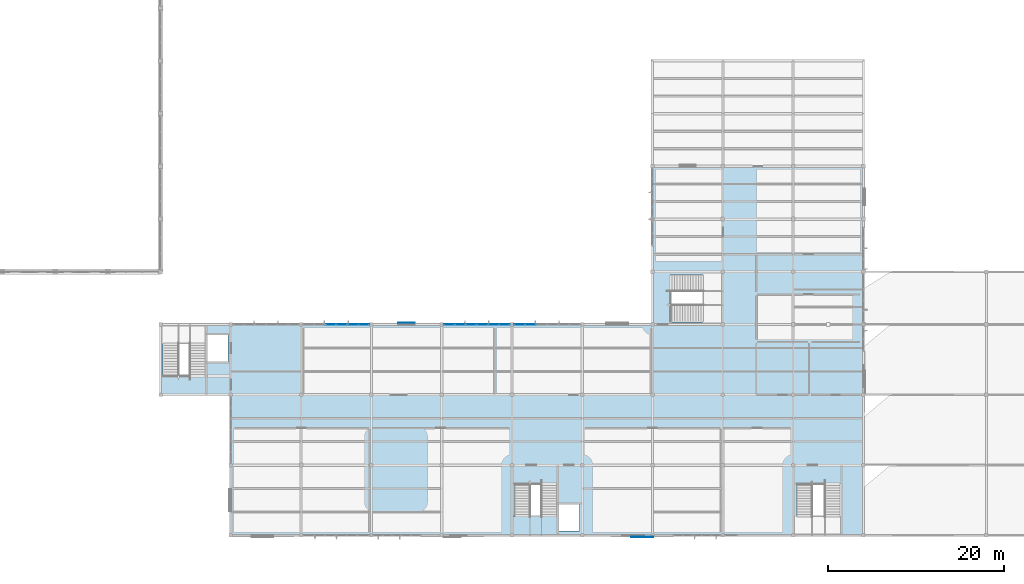
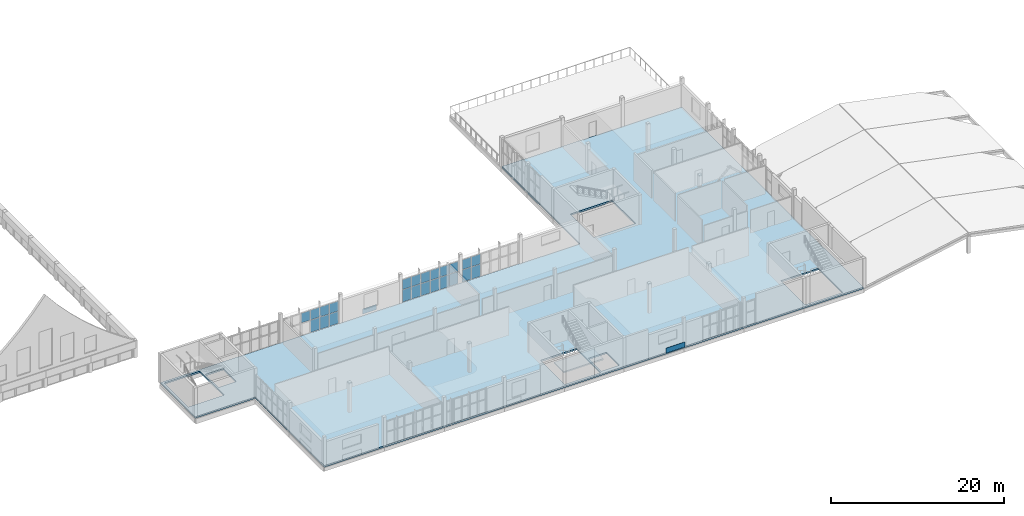
# One storey, part 27 of 45: 25 plates, 2 slabs, 4 elements without a shape of their own.
"""IFC4 building model written with IfcOpenShell, lengths in metres."""

from ifc_helpers import new_model, si_unit, direction, frame, origin, origin_2d, place, context, subcontext, project, spatial, polyline, rectangle, outline, extrude, material, layer, layer_set, type_object, element, aggregate, save


model = new_model("IFC4")

# Units and contexts
model_context = context("Model", 3, precision=1e-05, world=origin(), true_north=direction((0.0, 1.0)))
body_context = subcontext(model_context, "Body", "Model", "MODEL_VIEW")
ifc_project = project(units=[si_unit("LENGTHUNIT", "METRE"), si_unit("AREAUNIT", "SQUARE_METRE"), si_unit("VOLUMEUNIT", "CUBIC_METRE"), si_unit("PLANEANGLEUNIT", "RADIAN"), si_unit("MASSUNIT", "GRAM", prefix="KILO")], contexts=[model_context])

# Site, building, storey
site_placement = place(None, origin())
site = spatial("IfcSite", under=ifc_project, at=site_placement, CompositionType="ELEMENT")
building_placement = place(site_placement, origin())
building = spatial("IfcBuilding", under=site, at=building_placement, Name="Solvane Community Centre", CompositionType="ELEMENT")
storey_placement = place(building_placement, frame((0.0, 0.0, 13.800048828125)))
storey = spatial("IfcBuildingStorey", under=building, at=storey_placement, Name="L03", CompositionType="ELEMENT", Elevation=13.800048828125)

# Plates
ifc_material_1 = material(Name="Anodised bronze aluminium AW-6063 T6", Category="aluminium")
ifc_layer_1 = layer(ifc_material_1, 0.02392578125)
ifc_layer_set_1 = layer_set([ifc_layer_1], Name="Anodised bronze aluminium AW-6063 T6")
plate_type_1 = type_object("IfcPlateType", Name="Bronze Spandrel Cassette 24mm", PredefinedType="SHEET", material=ifc_layer_set_1)
plate_1_placement = place(storey_placement, frame((114.800048828125, 5.81298828125, 0.06005859375), z_axis=(0.0, 0.0, 1.0), x_axis=(-1.0, 0.0, 0.0)))
element("IfcPlate", 1, at=plate_1_placement, inside=storey, type_object=plate_type_1, Name="Art Deco Spandrel SPC-L03-041", PredefinedType="SHEET", context=body_context, shape_type="SweptSolid", body=[
    extrude(rectangle(XDim=2.5, YDim=0.02392578125, at=origin_2d()), origin(), (0.0, 0.0, 1.0), 0.719970703125),
])
plate_2_placement = place(storey_placement, frame((88.0, 30.18701171875, 0.06005859375), z_axis=(0.0, 0.0, 1.0), x_axis=(1.0, 0.0, 0.0)))
element("IfcPlate", 2, at=plate_2_placement, inside=storey, type_object=plate_type_1, Name="Art Deco Spandrel SPC-L03-045", PredefinedType="SHEET", context=body_context, shape_type="SweptSolid", body=[
    extrude(rectangle(XDim=1.89990234375, YDim=0.02392578125, at=origin_2d()), origin(), (0.0, 0.0, 1.0), 0.719970703125),
])

# Slab
ifc_material_2 = material(Name="Cross-laminated timber C24", Category="wood")
ifc_layer_2 = layer(ifc_material_2, 0.219970703125)
ifc_layer_set_2 = layer_set([ifc_layer_2], Name="Cross-laminated timber C24")
slab_type_1 = type_object("IfcSlabType", Name="CLT-Concrete Composite Floor Deck 220mm [FP-L03-V4]", PredefinedType="FLOOR", material=ifc_layer_set_2)
slab_1_placement = place(storey_placement, frame((0.0, 0.0, -0.219970703125)))
element("IfcSlab", 3, at=slab_1_placement, inside=storey, type_object=slab_type_1, Name="Floor Slab FP-L03-V4", PredefinedType="FLOOR", context=body_context, shape_type="SweptSolid", body=[
    extrude(outline(polyline([(60.0, 22.0), (68.0, 22.0), (68.0, 6.0), (140.0, 6.0), (140.0, 48.0), (116.0, 48.0), (116.0, 30.0), (60.0, 30.0), (60.0, 22.0)]), holes=[polyline([(60.300048828125, 24.1201171875), (65.10009765625, 24.1201171875), (65.10009765625, 29.699951171875), (60.300048828125, 29.699951171875), (60.300048828125, 24.1201171875)]), polyline([(65.300048828125, 25.800048828125), (67.699951171875, 25.800048828125), (67.699951171875, 28.800048828125), (65.300048828125, 28.800048828125), (65.300048828125, 25.800048828125)]), polyline([(100.300048828125, 6.300048828125), (105.10009765625, 6.300048828125), (105.10009765625, 11.8798828125), (100.300048828125, 11.8798828125), (100.300048828125, 6.300048828125)]), polyline([(105.300048828125, 6.5), (107.699951171875, 6.5), (107.699951171875, 9.5), (105.300048828125, 9.5), (105.300048828125, 6.5)]), polyline([(132.39990234375, 6.300048828125), (137.39990234375, 6.300048828125), (137.39990234375, 11.8798828125), (132.39990234375, 11.8798828125), (132.39990234375, 6.300048828125)]), polyline([(118.02001953125, 30.300048828125), (123.60009765625, 30.300048828125), (123.60009765625, 35.699951171875), (118.02001953125, 35.699951171875), (118.02001953125, 30.300048828125)])]), origin(), (0.0, 0.0, 1.0), 0.219970703125),
])

# Curtain wall, plates
ifc_layer_3 = layer(ifc_material_1, 0.199951171875)
ifc_layer_set_3 = layer_set([ifc_layer_3], Name="Anodised bronze aluminium AW-6063 T6")
curtain_wall_type = type_object("IfcCurtainWallType", Name="Courtyard Cloister Curtain Wall [76x33dm]", PredefinedType="NOTDEFINED", material=ifc_layer_set_3)
curtain_wall_1_placement = place(storey_placement, origin())
curtain_wall_1 = element("IfcCurtainWall", 4, at=curtain_wall_1_placement, inside=storey, type_object=curtain_wall_type, Name="Curtain Wall CW-L03-762_300-222", PredefinedType="NOTDEFINED")
ifc_material_3 = material(Name="Tempered low-E double glazing", Category="glass")
ifc_layer_4 = layer(ifc_material_3, 0.028076171875)
ifc_layer_set_4 = layer_set([ifc_layer_4], Name="Tempered low-E double glazing")
plate_type_2 = type_object("IfcPlateType", Name="Cloister Vision Glazing Panel 28mm [76x33dm]", PredefinedType="CURTAIN_PANEL", material=ifc_layer_set_4)
plate_3_placement = place(storey_placement, frame((79.369140625, 30.0, 1.825927734375), z_axis=(0.0, 0.0, 1.0), x_axis=(1.0, 0.0, 0.0)))
plate_3 = element("IfcPlate", 5, at=plate_3_placement, type_object=plate_type_2, Name="CW03-76x33 panel 3.2", PredefinedType="CURTAIN_PANEL", context=body_context, shape_type="SweptSolid", body=[
    extrude(rectangle(XDim=1.20166015625, YDim=0.028076171875, at=origin_2d()), origin(), (0.0, 0.0, 1.0), 1.37890625),
])
plate_4_placement = place(storey_placement, frame((80.630859375, 30.0, 0.059814453125), z_axis=(0.0, 0.0, 1.0), x_axis=(1.0, 0.0, 0.0)))
plate_4 = element("IfcPlate", 6, at=plate_4_placement, type_object=plate_type_2, Name="CW03-76x33 panel 4.1", PredefinedType="CURTAIN_PANEL", context=body_context, shape_type="SweptSolid", body=[
    extrude(rectangle(XDim=1.20166015625, YDim=0.028076171875, at=origin_2d()), origin(), (0.0, 0.0, 1.0), 1.7060546875),
])
plate_5_placement = place(storey_placement, frame((80.630859375, 30.0, 1.825927734375), z_axis=(0.0, 0.0, 1.0), x_axis=(1.0, 0.0, 0.0)))
plate_5 = element("IfcPlate", 7, at=plate_5_placement, type_object=plate_type_2, Name="CW03-76x33 panel 4.2", PredefinedType="CURTAIN_PANEL", context=body_context, shape_type="SweptSolid", body=[
    extrude(rectangle(XDim=1.20166015625, YDim=0.028076171875, at=origin_2d()), origin(), (0.0, 0.0, 1.0), 1.37890625),
])
plate_6_placement = place(storey_placement, frame((81.892578125, 30.0, 0.059814453125), z_axis=(0.0, 0.0, 1.0), x_axis=(1.0, 0.0, 0.0)))
plate_6 = element("IfcPlate", 8, at=plate_6_placement, type_object=plate_type_2, Name="CW03-76x33 panel 5.1", PredefinedType="CURTAIN_PANEL", context=body_context, shape_type="SweptSolid", body=[
    extrude(rectangle(XDim=1.20166015625, YDim=0.028076171875, at=origin_2d()), origin(), (0.0, 0.0, 1.0), 1.7060546875),
])
plate_7_placement = place(storey_placement, frame((81.892578125, 30.0, 1.825927734375), z_axis=(0.0, 0.0, 1.0), x_axis=(1.0, 0.0, 0.0)))
plate_7 = element("IfcPlate", 9, at=plate_7_placement, type_object=plate_type_2, Name="CW03-76x33 panel 5.2", PredefinedType="CURTAIN_PANEL", context=body_context, shape_type="SweptSolid", body=[
    extrude(rectangle(XDim=1.20166015625, YDim=0.028076171875, at=origin_2d()), origin(), (0.0, 0.0, 1.0), 1.37890625),
])
plate_8_placement = place(storey_placement, frame((83.13916015625, 30.0, 0.059814453125), z_axis=(0.0, 0.0, 1.0), x_axis=(1.0, 0.0, 0.0)))
plate_8 = element("IfcPlate", 10, at=plate_8_placement, type_object=plate_type_2, Name="CW03-76x33 panel 6.1", PredefinedType="CURTAIN_PANEL", context=body_context, shape_type="SweptSolid", body=[
    extrude(rectangle(XDim=1.171630859375, YDim=0.028076171875, at=origin_2d()), origin(), (0.0, 0.0, 1.0), 1.7060546875),
])
plate_9_placement = place(storey_placement, frame((83.13916015625, 30.0, 1.825927734375), z_axis=(0.0, 0.0, 1.0), x_axis=(1.0, 0.0, 0.0)))
plate_9 = element("IfcPlate", 11, at=plate_9_placement, type_object=plate_type_2, Name="CW03-76x33 panel 6.2", PredefinedType="CURTAIN_PANEL", context=body_context, shape_type="SweptSolid", body=[
    extrude(rectangle(XDim=1.171630859375, YDim=0.028076171875, at=origin_2d()), origin(), (0.0, 0.0, 1.0), 1.37890625),
])
aggregate(curtain_wall_1, [plate_3, plate_4, plate_5, plate_6, plate_7, plate_8, plate_9])

curtain_wall_2_placement = place(storey_placement, origin())
curtain_wall_2 = element("IfcCurtainWall", 12, at=curtain_wall_2_placement, inside=storey, type_object=curtain_wall_type, Name="Curtain Wall CW-L03-922_300-223", PredefinedType="NOTDEFINED")
plate_10_placement = place(storey_placement, frame((92.86083984375, 30.0, 0.059814453125), z_axis=(0.0, 0.0, 1.0), x_axis=(1.0, 0.0, 0.0)))
plate_10 = element("IfcPlate", 13, at=plate_10_placement, type_object=plate_type_2, Name="CW03-76x33 panel 1.1", PredefinedType="CURTAIN_PANEL", context=body_context, shape_type="SweptSolid", body=[
    extrude(rectangle(XDim=1.171630859375, YDim=0.028076171875, at=origin_2d()), origin(), (0.0, 0.0, 1.0), 1.7060546875),
])
plate_11_placement = place(storey_placement, frame((92.86083984375, 30.0, 1.825927734375), z_axis=(0.0, 0.0, 1.0), x_axis=(1.0, 0.0, 0.0)))
plate_11 = element("IfcPlate", 14, at=plate_11_placement, type_object=plate_type_2, Name="CW03-76x33 panel 1.2", PredefinedType="CURTAIN_PANEL", context=body_context, shape_type="SweptSolid", body=[
    extrude(rectangle(XDim=1.171630859375, YDim=0.028076171875, at=origin_2d()), origin(), (0.0, 0.0, 1.0), 1.37890625),
])
plate_12_placement = place(storey_placement, frame((94.107421875, 30.0, 0.059814453125), z_axis=(0.0, 0.0, 1.0), x_axis=(1.0, 0.0, 0.0)))
plate_12 = element("IfcPlate", 15, at=plate_12_placement, type_object=plate_type_2, Name="CW03-76x33 panel 2.1", PredefinedType="CURTAIN_PANEL", context=body_context, shape_type="SweptSolid", body=[
    extrude(rectangle(XDim=1.20166015625, YDim=0.028076171875, at=origin_2d()), origin(), (0.0, 0.0, 1.0), 1.7060546875),
])
plate_13_placement = place(storey_placement, frame((94.107421875, 30.0, 1.825927734375), z_axis=(0.0, 0.0, 1.0), x_axis=(1.0, 0.0, 0.0)))
plate_13 = element("IfcPlate", 16, at=plate_13_placement, type_object=plate_type_2, Name="CW03-76x33 panel 2.2", PredefinedType="CURTAIN_PANEL", context=body_context, shape_type="SweptSolid", body=[
    extrude(rectangle(XDim=1.20166015625, YDim=0.028076171875, at=origin_2d()), origin(), (0.0, 0.0, 1.0), 1.37890625),
])
plate_14_placement = place(storey_placement, frame((95.369140625, 30.0, 0.059814453125), z_axis=(0.0, 0.0, 1.0), x_axis=(1.0, 0.0, 0.0)))
plate_14 = element("IfcPlate", 17, at=plate_14_placement, type_object=plate_type_2, Name="CW03-76x33 panel 3.1", PredefinedType="CURTAIN_PANEL", context=body_context, shape_type="SweptSolid", body=[
    extrude(rectangle(XDim=1.20166015625, YDim=0.028076171875, at=origin_2d()), origin(), (0.0, 0.0, 1.0), 1.7060546875),
])
plate_15_placement = place(storey_placement, frame((95.369140625, 30.0, 1.825927734375), z_axis=(0.0, 0.0, 1.0), x_axis=(1.0, 0.0, 0.0)))
plate_15 = element("IfcPlate", 18, at=plate_15_placement, type_object=plate_type_2, Name="CW03-76x33 panel 3.2", PredefinedType="CURTAIN_PANEL", context=body_context, shape_type="SweptSolid", body=[
    extrude(rectangle(XDim=1.20166015625, YDim=0.028076171875, at=origin_2d()), origin(), (0.0, 0.0, 1.0), 1.37890625),
])
plate_16_placement = place(storey_placement, frame((96.630859375, 30.0, 0.059814453125), z_axis=(0.0, 0.0, 1.0), x_axis=(1.0, 0.0, 0.0)))
plate_16 = element("IfcPlate", 19, at=plate_16_placement, type_object=plate_type_2, Name="CW03-76x33 panel 4.1", PredefinedType="CURTAIN_PANEL", context=body_context, shape_type="SweptSolid", body=[
    extrude(rectangle(XDim=1.20166015625, YDim=0.028076171875, at=origin_2d()), origin(), (0.0, 0.0, 1.0), 1.7060546875),
])
plate_17_placement = place(storey_placement, frame((96.630859375, 30.0, 1.825927734375), z_axis=(0.0, 0.0, 1.0), x_axis=(1.0, 0.0, 0.0)))
plate_17 = element("IfcPlate", 20, at=plate_17_placement, type_object=plate_type_2, Name="CW03-76x33 panel 4.2", PredefinedType="CURTAIN_PANEL", context=body_context, shape_type="SweptSolid", body=[
    extrude(rectangle(XDim=1.20166015625, YDim=0.028076171875, at=origin_2d()), origin(), (0.0, 0.0, 1.0), 1.37890625),
])
plate_18_placement = place(storey_placement, frame((97.892578125, 30.0, 0.059814453125), z_axis=(0.0, 0.0, 1.0), x_axis=(1.0, 0.0, 0.0)))
plate_18 = element("IfcPlate", 21, at=plate_18_placement, type_object=plate_type_2, Name="CW03-76x33 panel 5.1", PredefinedType="CURTAIN_PANEL", context=body_context, shape_type="SweptSolid", body=[
    extrude(rectangle(XDim=1.20166015625, YDim=0.028076171875, at=origin_2d()), origin(), (0.0, 0.0, 1.0), 1.7060546875),
])
plate_19_placement = place(storey_placement, frame((97.892578125, 30.0, 1.825927734375), z_axis=(0.0, 0.0, 1.0), x_axis=(1.0, 0.0, 0.0)))
plate_19 = element("IfcPlate", 22, at=plate_19_placement, type_object=plate_type_2, Name="CW03-76x33 panel 5.2", PredefinedType="CURTAIN_PANEL", context=body_context, shape_type="SweptSolid", body=[
    extrude(rectangle(XDim=1.20166015625, YDim=0.028076171875, at=origin_2d()), origin(), (0.0, 0.0, 1.0), 1.37890625),
])
plate_20_placement = place(storey_placement, frame((99.13916015625, 30.0, 0.059814453125), z_axis=(0.0, 0.0, 1.0), x_axis=(1.0, 0.0, 0.0)))
plate_20 = element("IfcPlate", 23, at=plate_20_placement, type_object=plate_type_2, Name="CW03-76x33 panel 6.1", PredefinedType="CURTAIN_PANEL", context=body_context, shape_type="SweptSolid", body=[
    extrude(rectangle(XDim=1.171630859375, YDim=0.028076171875, at=origin_2d()), origin(), (0.0, 0.0, 1.0), 1.7060546875),
])
plate_21_placement = place(storey_placement, frame((99.13916015625, 30.0, 1.825927734375), z_axis=(0.0, 0.0, 1.0), x_axis=(1.0, 0.0, 0.0)))
plate_21 = element("IfcPlate", 24, at=plate_21_placement, type_object=plate_type_2, Name="CW03-76x33 panel 6.2", PredefinedType="CURTAIN_PANEL", context=body_context, shape_type="SweptSolid", body=[
    extrude(rectangle(XDim=1.171630859375, YDim=0.028076171875, at=origin_2d()), origin(), (0.0, 0.0, 1.0), 1.37890625),
])
aggregate(curtain_wall_2, [plate_10, plate_11, plate_12, plate_13, plate_14, plate_15, plate_16, plate_17, plate_18, plate_19, plate_20, plate_21])

curtain_wall_3_placement = place(storey_placement, origin())
curtain_wall_3 = element("IfcCurtainWall", 25, at=curtain_wall_3_placement, inside=storey, type_object=curtain_wall_type, Name="Curtain Wall CW-L03-1002_300-224", PredefinedType="NOTDEFINED")
plate_22_placement = place(storey_placement, frame((100.86083984375, 30.0, 0.059814453125), z_axis=(0.0, 0.0, 1.0), x_axis=(1.0, 0.0, 0.0)))
plate_22 = element("IfcPlate", 26, at=plate_22_placement, type_object=plate_type_2, Name="CW03-76x33 panel 1.1", PredefinedType="CURTAIN_PANEL", context=body_context, shape_type="SweptSolid", body=[
    extrude(rectangle(XDim=1.171630859375, YDim=0.028076171875, at=origin_2d()), origin(), (0.0, 0.0, 1.0), 1.7060546875),
])
plate_23_placement = place(storey_placement, frame((100.86083984375, 30.0, 1.825927734375), z_axis=(0.0, 0.0, 1.0), x_axis=(1.0, 0.0, 0.0)))
plate_23 = element("IfcPlate", 27, at=plate_23_placement, type_object=plate_type_2, Name="CW03-76x33 panel 1.2", PredefinedType="CURTAIN_PANEL", context=body_context, shape_type="SweptSolid", body=[
    extrude(rectangle(XDim=1.171630859375, YDim=0.028076171875, at=origin_2d()), origin(), (0.0, 0.0, 1.0), 1.37890625),
])
plate_24_placement = place(storey_placement, frame((102.107421875, 30.0, 0.059814453125), z_axis=(0.0, 0.0, 1.0), x_axis=(1.0, 0.0, 0.0)))
plate_24 = element("IfcPlate", 28, at=plate_24_placement, type_object=plate_type_2, Name="CW03-76x33 panel 2.1", PredefinedType="CURTAIN_PANEL", context=body_context, shape_type="SweptSolid", body=[
    extrude(rectangle(XDim=1.20166015625, YDim=0.028076171875, at=origin_2d()), origin(), (0.0, 0.0, 1.0), 1.7060546875),
])
plate_25_placement = place(storey_placement, frame((102.107421875, 30.0, 1.825927734375), z_axis=(0.0, 0.0, 1.0), x_axis=(1.0, 0.0, 0.0)))
plate_25 = element("IfcPlate", 29, at=plate_25_placement, type_object=plate_type_2, Name="CW03-76x33 panel 2.2", PredefinedType="CURTAIN_PANEL", context=body_context, shape_type="SweptSolid", body=[
    extrude(rectangle(XDim=1.20166015625, YDim=0.028076171875, at=origin_2d()), origin(), (0.0, 0.0, 1.0), 1.37890625),
])
aggregate(curtain_wall_3, [plate_22, plate_23, plate_24, plate_25])

# Stair, slab
ifc_material_4 = material(Name="Concrete C35/45", Category="concrete")
stair_type = type_object("IfcStairType", Name="RC Two-Flight Escape Stair 1720mm", PredefinedType="TWO_STRAIGHT_RUN_STAIR", material=ifc_material_4)
stair_placement = place(storey_placement, origin())
stair = element("IfcStair", 30, at=stair_placement, inside=storey, type_object=stair_type, Name="Stair STR-C2-L03", PredefinedType="TWO_STRAIGHT_RUN_STAIR")
ifc_layer_5 = layer(ifc_material_4, 0.199951171875)
ifc_layer_set_5 = layer_set([ifc_layer_5], Name="Concrete C35/45")
slab_type_2 = type_object("IfcSlabType", Name="RC Stair Half-Landing Slab 200mm", PredefinedType="LANDING", material=ifc_layer_set_5)
slab_2_placement = place(storey_placement, frame((0.0, 0.0, 1.89990234375)))
slab_2 = element("IfcSlab", 31, at=slab_2_placement, type_object=slab_type_2, Name="ST-02 landing 1", PredefinedType="LANDING", context=body_context, shape_type="SweptSolid", body=[
    extrude(outline(polyline([(99.9599609375, 5.9599609375), (105.239990234375, 5.9599609375), (105.239990234375, 8.199951171875), (99.9599609375, 8.199951171875), (99.9599609375, 5.9599609375)])), origin(), (0.0, 0.0, 1.0), 0.199951171875),
])
aggregate(stair, [slab_2])

save(model, "model.ifc")
